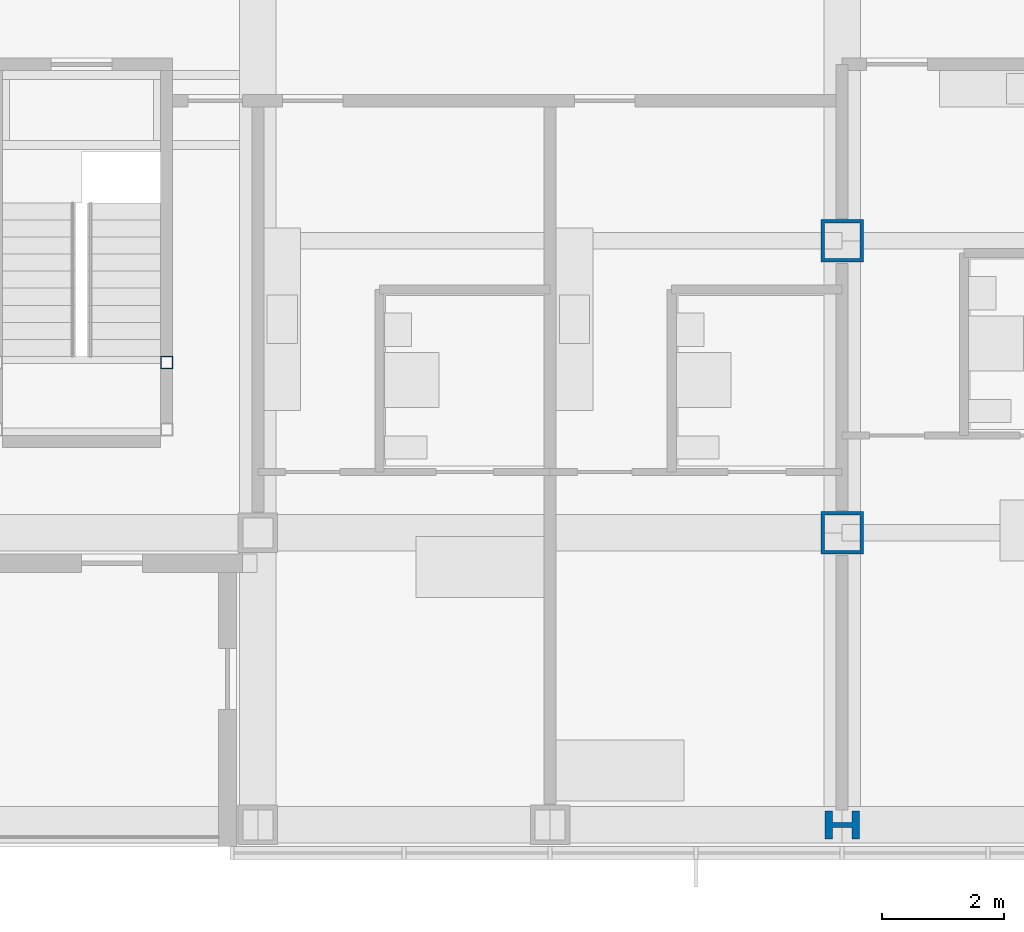
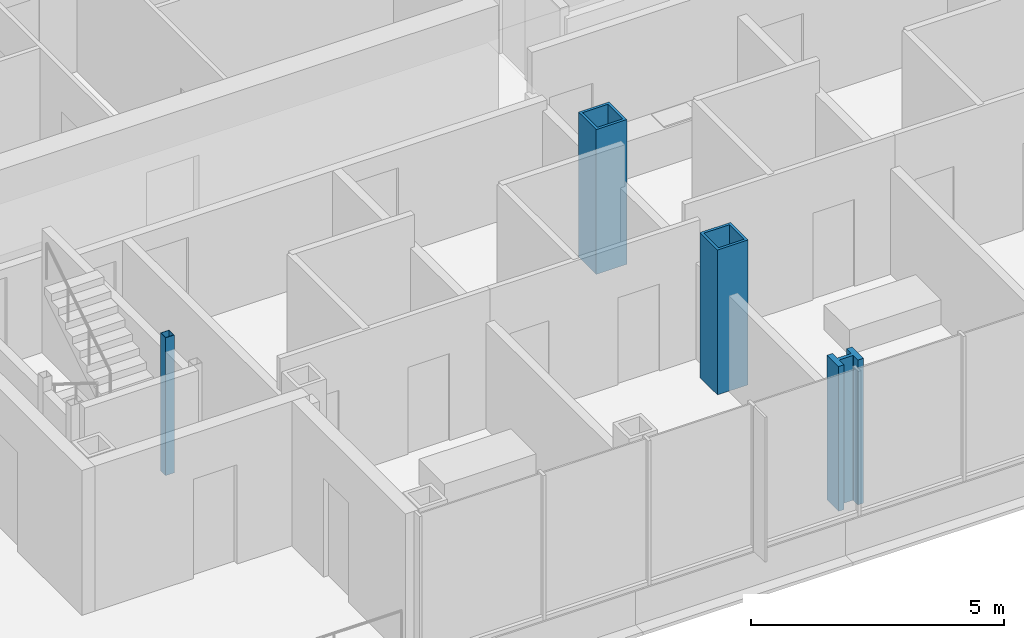
# One storey, part 2 of 19: 4 columns.
"""IFC4 building model written with IfcOpenShell, lengths in metres."""

from ifc_helpers import new_model, si_unit, direction, frame, origin, origin_2d, place, context, subcontext, project, spatial, hollow_rectangle, i_section, extrude, material, material_profile, profile_set, type_object, element, save


model = new_model("IFC4")

# Units and contexts
model_context = context("Model", 3, precision=1e-05, world=origin(), true_north=direction((0.0, 1.0)))
body_context = subcontext(model_context, "Body", "Model", "MODEL_VIEW")
ifc_project = project(units=[si_unit("LENGTHUNIT", "METRE"), si_unit("AREAUNIT", "SQUARE_METRE"), si_unit("VOLUMEUNIT", "CUBIC_METRE"), si_unit("PLANEANGLEUNIT", "RADIAN"), si_unit("MASSUNIT", "GRAM", prefix="KILO")], contexts=[model_context])

# Site, building, storey
site_placement = place(None, origin())
site = spatial("IfcSite", under=ifc_project, at=site_placement, CompositionType="ELEMENT")
building_placement = place(site_placement, origin())
building = spatial("IfcBuilding", under=site, at=building_placement, Name="Kvirike Care Tower", CompositionType="ELEMENT")
storey_placement = place(building_placement, frame((0.0, 0.0, 84.0)))
storey = spatial("IfcBuildingStorey", under=building, at=storey_placement, Name="L22", CompositionType="ELEMENT", Elevation=84.0)

# Columns
ifc_material_1 = material(Name="Steel S460", Category="steel")
ifc_material_profile_1 = material_profile(ifc_material_1, hollow_rectangle(XDim=0.699951171875, YDim=0.699951171875, WallThickness=0.06005859375, at=origin_2d()), Name="BX 700x700x60")
ifc_profile_set_1 = profile_set([ifc_material_profile_1], Name="Steel S460")
column_type_1 = type_object("IfcColumnType", Name="COLUMN BX 700x700x60", PredefinedType="COLUMN", material=ifc_profile_set_1)
for number, where, z_axis, x_axis, name in (
    (1, (28.800048828125, 19.199951171875, 0.0), (0.0, 0.0, 1.0), (1.0, 0.0, 0.0), "Column E9 L22"),
    (2, (28.800048828125, 24.0, 0.0), (0.0, 0.0, 1.0), (1.0, 0.0, 0.0), "Column F9 L22"),
):
    element("IfcColumn", number, at=place(storey_placement, frame(where, z_axis=z_axis, x_axis=x_axis)), inside=storey, type_object=column_type_1, Name=name, PredefinedType="COLUMN", context=body_context, shape_type="SweptSolid", body=[
        extrude(hollow_rectangle(XDim=0.699951171875, YDim=0.699951171875, WallThickness=0.06005859375, at=origin_2d()), origin(), (0.0, 0.0, 1.0), 3.5),
    ])
ifc_material_2 = material(Name="Steel S460", Category="steel")
ifc_material_profile_2 = material_profile(ifc_material_2, i_section(OverallWidth=0.4541015625, OverallDepth=0.569091796875, WebThickness=0.077880859375, FlangeThickness=0.125, FilletRadius=0.014892578125, at=origin_2d()), Name="HD 400x1086")
ifc_profile_set_2 = profile_set([ifc_material_profile_2], Name="Steel S460")
column_type_2 = type_object("IfcColumnType", Name="COLUMN HD 400x1086", PredefinedType="COLUMN", material=ifc_profile_set_2)
column_1_placement = place(storey_placement, frame((28.800048828125, 14.39990234375, 0.0), z_axis=(0.0, 0.0, 1.0), x_axis=(0.0, 1.0, 0.0)))
element("IfcColumn", 3, at=column_1_placement, inside=storey, type_object=column_type_2, Name="Column D9 L22", PredefinedType="COLUMN", context=body_context, shape_type="SweptSolid", body=[
    extrude(i_section(OverallWidth=0.4541015625, OverallDepth=0.569091796875, WebThickness=0.077880859375, FlangeThickness=0.125, FilletRadius=0.014892578125, at=origin_2d()), origin(), (0.0, 0.0, 1.0), 3.5),
])
ifc_material_3 = material(Name="Steel S460", Category="steel")
ifc_material_profile_3 = material_profile(ifc_material_3, hollow_rectangle(XDim=0.199951171875, YDim=0.199951171875, WallThickness=0.008056640625, at=origin_2d()), Name="SHS 200x200x8")
ifc_profile_set_3 = profile_set([ifc_material_profile_3], Name="Steel S460")
column_type_3 = type_object("IfcColumnType", Name="STAIR POST SHS 200x200x8", PredefinedType="COLUMN", material=ifc_profile_set_3)
column_2_placement = place(storey_placement, frame((17.699951171875, 22.0, 0.0), z_axis=(0.0, 0.0, 1.0), x_axis=(1.0, 0.0, 0.0)))
element("IfcColumn", 4, at=column_2_placement, inside=storey, type_object=column_type_3, Name="Stair 5 post 4 L22", PredefinedType="COLUMN", context=body_context, shape_type="SweptSolid", body=[
    extrude(hollow_rectangle(XDim=0.199951171875, YDim=0.199951171875, WallThickness=0.008056640625, at=origin_2d()), origin(), (0.0, 0.0, 1.0), 3.330078125),
])

save(model, "model.ifc")
